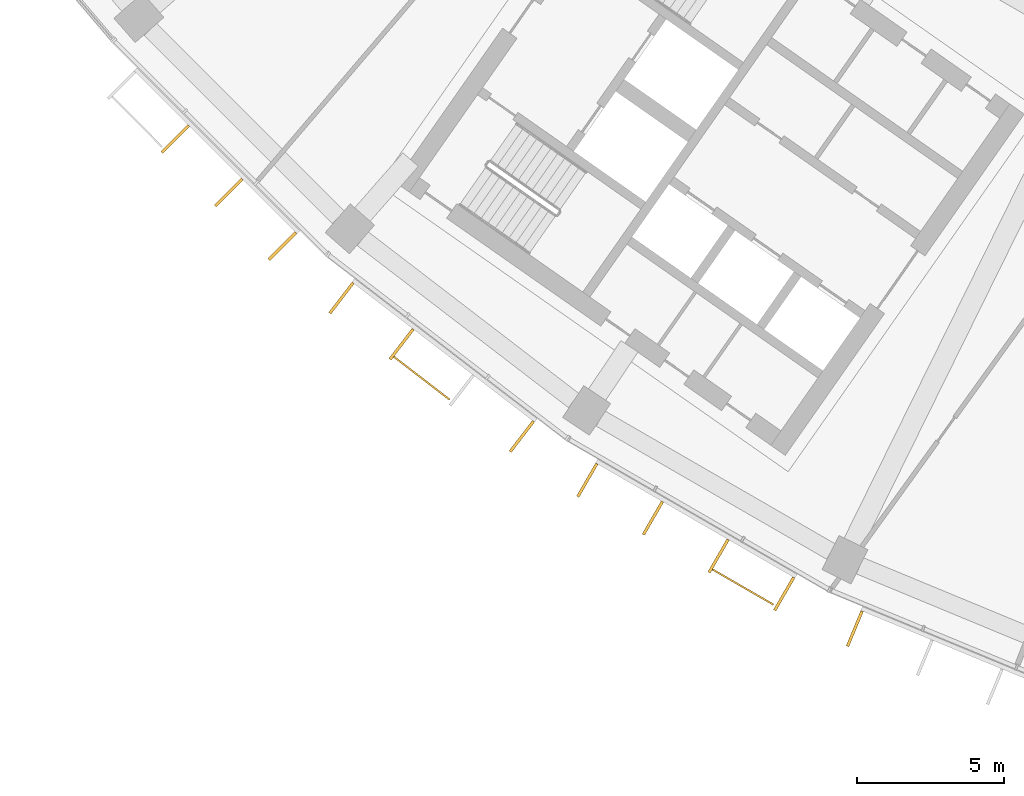
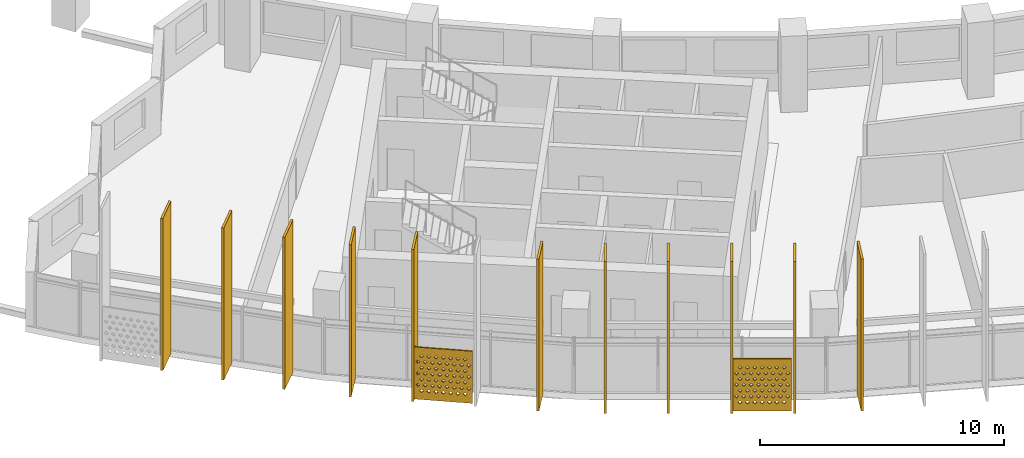
# One storey, part 21 of 27: 13 shading devices.
"""IFC4 building model written with IfcOpenShell, lengths in metres."""

from ifc_helpers import new_model, si_unit, direction, frame, origin, origin_2d, place, context, subcontext, project, spatial, polyline, rectangle, outline, extrude, material, material_profile, profile_set, type_object, element, save


model = new_model("IFC4")

# Units and contexts
model_context = context("Model", 3, precision=1e-05, world=origin(), true_north=direction((0.0, 1.0)))
body_context = subcontext(model_context, "Body", "Model", "MODEL_VIEW")
ifc_project = project(units=[si_unit("LENGTHUNIT", "METRE"), si_unit("AREAUNIT", "SQUARE_METRE"), si_unit("VOLUMEUNIT", "CUBIC_METRE"), si_unit("PLANEANGLEUNIT", "RADIAN"), si_unit("MASSUNIT", "GRAM", prefix="KILO")], contexts=[model_context])

# Site, building, storey
site_placement = place(None, origin())
site = spatial("IfcSite", under=ifc_project, at=site_placement, CompositionType="ELEMENT")
building_placement = place(site_placement, origin())
building = spatial("IfcBuilding", under=site, at=building_placement, Name="Qamariyya Broadcast Tower", CompositionType="ELEMENT")
storey_placement = place(building_placement, frame((0.0, 0.0, 164.5)))
storey = spatial("IfcBuildingStorey", under=building, at=storey_placement, Name="L38", CompositionType="ELEMENT", Elevation=164.5)

# Shading devices
ifc_material_1 = material(Name="Perforated glazed terracotta", Category="masonry")
ifc_material_profile_1 = material_profile(ifc_material_1, outline(polyline([(-1.199951171875, -1.300048828125), (1.199951171875, -1.300048828125), (1.199951171875, 1.300048828125), (-1.199951171875, 1.300048828125), (-1.199951171875, -1.300048828125)]), holes=[polyline([(-0.81494140625, -0.86669921875), (-0.89990234375, -0.78173828125), (-0.985107421875, -0.86669921875), (-0.89990234375, -0.95166015625), (-0.81494140625, -0.86669921875)]), polyline([(-0.514892578125, -0.86669921875), (-0.60009765625, -0.78173828125), (-0.68505859375, -0.86669921875), (-0.60009765625, -0.95166015625), (-0.514892578125, -0.86669921875)]), polyline([(-0.215087890625, -0.86669921875), (-0.300048828125, -0.78173828125), (-0.385009765625, -0.86669921875), (-0.300048828125, -0.95166015625), (-0.215087890625, -0.86669921875)]), polyline([(0.0849609375, -0.86669921875), (0.0, -0.78173828125), (-0.0849609375, -0.86669921875), (0.0, -0.95166015625), (0.0849609375, -0.86669921875)]), polyline([(0.385009765625, -0.86669921875), (0.300048828125, -0.78173828125), (0.215087890625, -0.86669921875), (0.300048828125, -0.95166015625), (0.385009765625, -0.86669921875)]), polyline([(0.68505859375, -0.86669921875), (0.60009765625, -0.78173828125), (0.514892578125, -0.86669921875), (0.60009765625, -0.95166015625), (0.68505859375, -0.86669921875)]), polyline([(0.985107421875, -0.86669921875), (0.89990234375, -0.78173828125), (0.81494140625, -0.86669921875), (0.89990234375, -0.95166015625), (0.985107421875, -0.86669921875)]), polyline([(-0.965087890625, -0.577880859375), (-1.050048828125, -0.49267578125), (-1.135009765625, -0.577880859375), (-1.050048828125, -0.662841796875), (-0.965087890625, -0.577880859375)]), polyline([(-0.6650390625, -0.577880859375), (-0.75, -0.49267578125), (-0.8349609375, -0.577880859375), (-0.75, -0.662841796875), (-0.6650390625, -0.577880859375)]), polyline([(-0.364990234375, -0.577880859375), (-0.449951171875, -0.49267578125), (-0.534912109375, -0.577880859375), (-0.449951171875, -0.662841796875), (-0.364990234375, -0.577880859375)]), polyline([(-0.06494140625, -0.577880859375), (-0.14990234375, -0.49267578125), (-0.235107421875, -0.577880859375), (-0.14990234375, -0.662841796875), (-0.06494140625, -0.577880859375)]), polyline([(0.235107421875, -0.577880859375), (0.14990234375, -0.49267578125), (0.06494140625, -0.577880859375), (0.14990234375, -0.662841796875), (0.235107421875, -0.577880859375)]), polyline([(0.534912109375, -0.577880859375), (0.449951171875, -0.49267578125), (0.364990234375, -0.577880859375), (0.449951171875, -0.662841796875), (0.534912109375, -0.577880859375)]), polyline([(0.8349609375, -0.577880859375), (0.75, -0.49267578125), (0.6650390625, -0.577880859375), (0.75, -0.662841796875), (0.8349609375, -0.577880859375)]), polyline([(1.135009765625, -0.577880859375), (1.050048828125, -0.49267578125), (0.965087890625, -0.577880859375), (1.050048828125, -0.662841796875), (1.135009765625, -0.577880859375)]), polyline([(-0.81494140625, -0.288818359375), (-0.89990234375, -0.203857421875), (-0.985107421875, -0.288818359375), (-0.89990234375, -0.373779296875), (-0.81494140625, -0.288818359375)]), polyline([(-0.514892578125, -0.288818359375), (-0.60009765625, -0.203857421875), (-0.68505859375, -0.288818359375), (-0.60009765625, -0.373779296875), (-0.514892578125, -0.288818359375)]), polyline([(-0.215087890625, -0.288818359375), (-0.300048828125, -0.203857421875), (-0.385009765625, -0.288818359375), (-0.300048828125, -0.373779296875), (-0.215087890625, -0.288818359375)]), polyline([(0.0849609375, -0.288818359375), (0.0, -0.203857421875), (-0.0849609375, -0.288818359375), (0.0, -0.373779296875), (0.0849609375, -0.288818359375)]), polyline([(0.385009765625, -0.288818359375), (0.300048828125, -0.203857421875), (0.215087890625, -0.288818359375), (0.300048828125, -0.373779296875), (0.385009765625, -0.288818359375)]), polyline([(0.68505859375, -0.288818359375), (0.60009765625, -0.203857421875), (0.514892578125, -0.288818359375), (0.60009765625, -0.373779296875), (0.68505859375, -0.288818359375)]), polyline([(0.985107421875, -0.288818359375), (0.89990234375, -0.203857421875), (0.81494140625, -0.288818359375), (0.89990234375, -0.373779296875), (0.985107421875, -0.288818359375)]), polyline([(-0.965087890625, 0.0), (-1.050048828125, 0.0849609375), (-1.135009765625, 0.0), (-1.050048828125, -0.0849609375), (-0.965087890625, 0.0)]), polyline([(-0.6650390625, 0.0), (-0.75, 0.0849609375), (-0.8349609375, 0.0), (-0.75, -0.0849609375), (-0.6650390625, 0.0)]), polyline([(-0.364990234375, 0.0), (-0.449951171875, 0.0849609375), (-0.534912109375, 0.0), (-0.449951171875, -0.0849609375), (-0.364990234375, 0.0)]), polyline([(-0.06494140625, 0.0), (-0.14990234375, 0.0849609375), (-0.235107421875, 0.0), (-0.14990234375, -0.0849609375), (-0.06494140625, 0.0)]), polyline([(0.235107421875, 0.0), (0.14990234375, 0.0849609375), (0.06494140625, 0.0), (0.14990234375, -0.0849609375), (0.235107421875, 0.0)]), polyline([(0.534912109375, 0.0), (0.449951171875, 0.0849609375), (0.364990234375, 0.0), (0.449951171875, -0.0849609375), (0.534912109375, 0.0)]), polyline([(0.8349609375, 0.0), (0.75, 0.0849609375), (0.6650390625, 0.0), (0.75, -0.0849609375), (0.8349609375, 0.0)]), polyline([(1.135009765625, 0.0), (1.050048828125, 0.0849609375), (0.965087890625, 0.0), (1.050048828125, -0.0849609375), (1.135009765625, 0.0)]), polyline([(-0.81494140625, 0.288818359375), (-0.89990234375, 0.373779296875), (-0.985107421875, 0.288818359375), (-0.89990234375, 0.203857421875), (-0.81494140625, 0.288818359375)]), polyline([(-0.514892578125, 0.288818359375), (-0.60009765625, 0.373779296875), (-0.68505859375, 0.288818359375), (-0.60009765625, 0.203857421875), (-0.514892578125, 0.288818359375)]), polyline([(-0.215087890625, 0.288818359375), (-0.300048828125, 0.373779296875), (-0.385009765625, 0.288818359375), (-0.300048828125, 0.203857421875), (-0.215087890625, 0.288818359375)]), polyline([(0.0849609375, 0.288818359375), (0.0, 0.373779296875), (-0.0849609375, 0.288818359375), (0.0, 0.203857421875), (0.0849609375, 0.288818359375)]), polyline([(0.385009765625, 0.288818359375), (0.300048828125, 0.373779296875), (0.215087890625, 0.288818359375), (0.300048828125, 0.203857421875), (0.385009765625, 0.288818359375)]), polyline([(0.68505859375, 0.288818359375), (0.60009765625, 0.373779296875), (0.514892578125, 0.288818359375), (0.60009765625, 0.203857421875), (0.68505859375, 0.288818359375)]), polyline([(0.985107421875, 0.288818359375), (0.89990234375, 0.373779296875), (0.81494140625, 0.288818359375), (0.89990234375, 0.203857421875), (0.985107421875, 0.288818359375)]), polyline([(-0.965087890625, 0.577880859375), (-1.050048828125, 0.662841796875), (-1.135009765625, 0.577880859375), (-1.050048828125, 0.49267578125), (-0.965087890625, 0.577880859375)]), polyline([(-0.6650390625, 0.577880859375), (-0.75, 0.662841796875), (-0.8349609375, 0.577880859375), (-0.75, 0.49267578125), (-0.6650390625, 0.577880859375)]), polyline([(-0.364990234375, 0.577880859375), (-0.449951171875, 0.662841796875), (-0.534912109375, 0.577880859375), (-0.449951171875, 0.49267578125), (-0.364990234375, 0.577880859375)]), polyline([(-0.06494140625, 0.577880859375), (-0.14990234375, 0.662841796875), (-0.235107421875, 0.577880859375), (-0.14990234375, 0.49267578125), (-0.06494140625, 0.577880859375)]), polyline([(0.235107421875, 0.577880859375), (0.14990234375, 0.662841796875), (0.06494140625, 0.577880859375), (0.14990234375, 0.49267578125), (0.235107421875, 0.577880859375)]), polyline([(0.534912109375, 0.577880859375), (0.449951171875, 0.662841796875), (0.364990234375, 0.577880859375), (0.449951171875, 0.49267578125), (0.534912109375, 0.577880859375)]), polyline([(0.8349609375, 0.577880859375), (0.75, 0.662841796875), (0.6650390625, 0.577880859375), (0.75, 0.49267578125), (0.8349609375, 0.577880859375)]), polyline([(1.135009765625, 0.577880859375), (1.050048828125, 0.662841796875), (0.965087890625, 0.577880859375), (1.050048828125, 0.49267578125), (1.135009765625, 0.577880859375)]), polyline([(-0.81494140625, 0.86669921875), (-0.89990234375, 0.95166015625), (-0.985107421875, 0.86669921875), (-0.89990234375, 0.78173828125), (-0.81494140625, 0.86669921875)]), polyline([(-0.514892578125, 0.86669921875), (-0.60009765625, 0.95166015625), (-0.68505859375, 0.86669921875), (-0.60009765625, 0.78173828125), (-0.514892578125, 0.86669921875)]), polyline([(-0.215087890625, 0.86669921875), (-0.300048828125, 0.95166015625), (-0.385009765625, 0.86669921875), (-0.300048828125, 0.78173828125), (-0.215087890625, 0.86669921875)]), polyline([(0.0849609375, 0.86669921875), (0.0, 0.95166015625), (-0.0849609375, 0.86669921875), (0.0, 0.78173828125), (0.0849609375, 0.86669921875)]), polyline([(0.385009765625, 0.86669921875), (0.300048828125, 0.95166015625), (0.215087890625, 0.86669921875), (0.300048828125, 0.78173828125), (0.385009765625, 0.86669921875)]), polyline([(0.68505859375, 0.86669921875), (0.60009765625, 0.95166015625), (0.514892578125, 0.86669921875), (0.60009765625, 0.78173828125), (0.68505859375, 0.86669921875)]), polyline([(0.985107421875, 0.86669921875), (0.89990234375, 0.95166015625), (0.81494140625, 0.86669921875), (0.89990234375, 0.78173828125), (0.985107421875, 0.86669921875)])]))
ifc_profile_set_1 = profile_set([ifc_material_profile_1], Name="Perforated glazed terracotta")
shading_device_type_1 = type_object("IfcShadingDeviceType", Name="Perforated terracotta screen 2400 x 2600", PredefinedType="USERDEFINED", material=ifc_profile_set_1)
shading_device_1_placement = place(storey_placement, frame((-48.79541015625, -63.52294921875, 1.35009765625), z_axis=(-0.60971076085, -0.792623989105, 0.0), x_axis=(0.792623989105, -0.60971076085, 0.0)))
element("IfcShadingDevice", 1, at=shading_device_1_placement, inside=storey, type_object=shading_device_type_1, Name="e-scr-L38-02-1", ObjectType="SCREEN", PredefinedType="USERDEFINED", context=body_context, shape_type="SweptSolid", body=[
    extrude(outline(polyline([(-1.199951171875, -1.300048828125), (1.199951171875, -1.300048828125), (1.199951171875, 1.300048828125), (-1.199951171875, 1.300048828125), (-1.199951171875, -1.300048828125)]), holes=[polyline([(-0.81494140625, -0.86669921875), (-0.89990234375, -0.78173828125), (-0.985107421875, -0.86669921875), (-0.89990234375, -0.95166015625), (-0.81494140625, -0.86669921875)]), polyline([(-0.514892578125, -0.86669921875), (-0.60009765625, -0.78173828125), (-0.68505859375, -0.86669921875), (-0.60009765625, -0.95166015625), (-0.514892578125, -0.86669921875)]), polyline([(-0.215087890625, -0.86669921875), (-0.300048828125, -0.78173828125), (-0.385009765625, -0.86669921875), (-0.300048828125, -0.95166015625), (-0.215087890625, -0.86669921875)]), polyline([(0.0849609375, -0.86669921875), (0.0, -0.78173828125), (-0.0849609375, -0.86669921875), (0.0, -0.95166015625), (0.0849609375, -0.86669921875)]), polyline([(0.385009765625, -0.86669921875), (0.300048828125, -0.78173828125), (0.215087890625, -0.86669921875), (0.300048828125, -0.95166015625), (0.385009765625, -0.86669921875)]), polyline([(0.68505859375, -0.86669921875), (0.60009765625, -0.78173828125), (0.514892578125, -0.86669921875), (0.60009765625, -0.95166015625), (0.68505859375, -0.86669921875)]), polyline([(0.985107421875, -0.86669921875), (0.89990234375, -0.78173828125), (0.81494140625, -0.86669921875), (0.89990234375, -0.95166015625), (0.985107421875, -0.86669921875)]), polyline([(-0.965087890625, -0.577880859375), (-1.050048828125, -0.49267578125), (-1.135009765625, -0.577880859375), (-1.050048828125, -0.662841796875), (-0.965087890625, -0.577880859375)]), polyline([(-0.6650390625, -0.577880859375), (-0.75, -0.49267578125), (-0.8349609375, -0.577880859375), (-0.75, -0.662841796875), (-0.6650390625, -0.577880859375)]), polyline([(-0.364990234375, -0.577880859375), (-0.449951171875, -0.49267578125), (-0.534912109375, -0.577880859375), (-0.449951171875, -0.662841796875), (-0.364990234375, -0.577880859375)]), polyline([(-0.06494140625, -0.577880859375), (-0.14990234375, -0.49267578125), (-0.235107421875, -0.577880859375), (-0.14990234375, -0.662841796875), (-0.06494140625, -0.577880859375)]), polyline([(0.235107421875, -0.577880859375), (0.14990234375, -0.49267578125), (0.06494140625, -0.577880859375), (0.14990234375, -0.662841796875), (0.235107421875, -0.577880859375)]), polyline([(0.534912109375, -0.577880859375), (0.449951171875, -0.49267578125), (0.364990234375, -0.577880859375), (0.449951171875, -0.662841796875), (0.534912109375, -0.577880859375)]), polyline([(0.8349609375, -0.577880859375), (0.75, -0.49267578125), (0.6650390625, -0.577880859375), (0.75, -0.662841796875), (0.8349609375, -0.577880859375)]), polyline([(1.135009765625, -0.577880859375), (1.050048828125, -0.49267578125), (0.965087890625, -0.577880859375), (1.050048828125, -0.662841796875), (1.135009765625, -0.577880859375)]), polyline([(-0.81494140625, -0.288818359375), (-0.89990234375, -0.203857421875), (-0.985107421875, -0.288818359375), (-0.89990234375, -0.373779296875), (-0.81494140625, -0.288818359375)]), polyline([(-0.514892578125, -0.288818359375), (-0.60009765625, -0.203857421875), (-0.68505859375, -0.288818359375), (-0.60009765625, -0.373779296875), (-0.514892578125, -0.288818359375)]), polyline([(-0.215087890625, -0.288818359375), (-0.300048828125, -0.203857421875), (-0.385009765625, -0.288818359375), (-0.300048828125, -0.373779296875), (-0.215087890625, -0.288818359375)]), polyline([(0.0849609375, -0.288818359375), (0.0, -0.203857421875), (-0.0849609375, -0.288818359375), (0.0, -0.373779296875), (0.0849609375, -0.288818359375)]), polyline([(0.385009765625, -0.288818359375), (0.300048828125, -0.203857421875), (0.215087890625, -0.288818359375), (0.300048828125, -0.373779296875), (0.385009765625, -0.288818359375)]), polyline([(0.68505859375, -0.288818359375), (0.60009765625, -0.203857421875), (0.514892578125, -0.288818359375), (0.60009765625, -0.373779296875), (0.68505859375, -0.288818359375)]), polyline([(0.985107421875, -0.288818359375), (0.89990234375, -0.203857421875), (0.81494140625, -0.288818359375), (0.89990234375, -0.373779296875), (0.985107421875, -0.288818359375)]), polyline([(-0.965087890625, 0.0), (-1.050048828125, 0.0849609375), (-1.135009765625, 0.0), (-1.050048828125, -0.0849609375), (-0.965087890625, 0.0)]), polyline([(-0.6650390625, 0.0), (-0.75, 0.0849609375), (-0.8349609375, 0.0), (-0.75, -0.0849609375), (-0.6650390625, 0.0)]), polyline([(-0.364990234375, 0.0), (-0.449951171875, 0.0849609375), (-0.534912109375, 0.0), (-0.449951171875, -0.0849609375), (-0.364990234375, 0.0)]), polyline([(-0.06494140625, 0.0), (-0.14990234375, 0.0849609375), (-0.235107421875, 0.0), (-0.14990234375, -0.0849609375), (-0.06494140625, 0.0)]), polyline([(0.235107421875, 0.0), (0.14990234375, 0.0849609375), (0.06494140625, 0.0), (0.14990234375, -0.0849609375), (0.235107421875, 0.0)]), polyline([(0.534912109375, 0.0), (0.449951171875, 0.0849609375), (0.364990234375, 0.0), (0.449951171875, -0.0849609375), (0.534912109375, 0.0)]), polyline([(0.8349609375, 0.0), (0.75, 0.0849609375), (0.6650390625, 0.0), (0.75, -0.0849609375), (0.8349609375, 0.0)]), polyline([(1.135009765625, 0.0), (1.050048828125, 0.0849609375), (0.965087890625, 0.0), (1.050048828125, -0.0849609375), (1.135009765625, 0.0)]), polyline([(-0.81494140625, 0.288818359375), (-0.89990234375, 0.373779296875), (-0.985107421875, 0.288818359375), (-0.89990234375, 0.203857421875), (-0.81494140625, 0.288818359375)]), polyline([(-0.514892578125, 0.288818359375), (-0.60009765625, 0.373779296875), (-0.68505859375, 0.288818359375), (-0.60009765625, 0.203857421875), (-0.514892578125, 0.288818359375)]), polyline([(-0.215087890625, 0.288818359375), (-0.300048828125, 0.373779296875), (-0.385009765625, 0.288818359375), (-0.300048828125, 0.203857421875), (-0.215087890625, 0.288818359375)]), polyline([(0.0849609375, 0.288818359375), (0.0, 0.373779296875), (-0.0849609375, 0.288818359375), (0.0, 0.203857421875), (0.0849609375, 0.288818359375)]), polyline([(0.385009765625, 0.288818359375), (0.300048828125, 0.373779296875), (0.215087890625, 0.288818359375), (0.300048828125, 0.203857421875), (0.385009765625, 0.288818359375)]), polyline([(0.68505859375, 0.288818359375), (0.60009765625, 0.373779296875), (0.514892578125, 0.288818359375), (0.60009765625, 0.203857421875), (0.68505859375, 0.288818359375)]), polyline([(0.985107421875, 0.288818359375), (0.89990234375, 0.373779296875), (0.81494140625, 0.288818359375), (0.89990234375, 0.203857421875), (0.985107421875, 0.288818359375)]), polyline([(-0.965087890625, 0.577880859375), (-1.050048828125, 0.662841796875), (-1.135009765625, 0.577880859375), (-1.050048828125, 0.49267578125), (-0.965087890625, 0.577880859375)]), polyline([(-0.6650390625, 0.577880859375), (-0.75, 0.662841796875), (-0.8349609375, 0.577880859375), (-0.75, 0.49267578125), (-0.6650390625, 0.577880859375)]), polyline([(-0.364990234375, 0.577880859375), (-0.449951171875, 0.662841796875), (-0.534912109375, 0.577880859375), (-0.449951171875, 0.49267578125), (-0.364990234375, 0.577880859375)]), polyline([(-0.06494140625, 0.577880859375), (-0.14990234375, 0.662841796875), (-0.235107421875, 0.577880859375), (-0.14990234375, 0.49267578125), (-0.06494140625, 0.577880859375)]), polyline([(0.235107421875, 0.577880859375), (0.14990234375, 0.662841796875), (0.06494140625, 0.577880859375), (0.14990234375, 0.49267578125), (0.235107421875, 0.577880859375)]), polyline([(0.534912109375, 0.577880859375), (0.449951171875, 0.662841796875), (0.364990234375, 0.577880859375), (0.449951171875, 0.49267578125), (0.534912109375, 0.577880859375)]), polyline([(0.8349609375, 0.577880859375), (0.75, 0.662841796875), (0.6650390625, 0.577880859375), (0.75, 0.49267578125), (0.8349609375, 0.577880859375)]), polyline([(1.135009765625, 0.577880859375), (1.050048828125, 0.662841796875), (0.965087890625, 0.577880859375), (1.050048828125, 0.49267578125), (1.135009765625, 0.577880859375)]), polyline([(-0.81494140625, 0.86669921875), (-0.89990234375, 0.95166015625), (-0.985107421875, 0.86669921875), (-0.89990234375, 0.78173828125), (-0.81494140625, 0.86669921875)]), polyline([(-0.514892578125, 0.86669921875), (-0.60009765625, 0.95166015625), (-0.68505859375, 0.86669921875), (-0.60009765625, 0.78173828125), (-0.514892578125, 0.86669921875)]), polyline([(-0.215087890625, 0.86669921875), (-0.300048828125, 0.95166015625), (-0.385009765625, 0.86669921875), (-0.300048828125, 0.78173828125), (-0.215087890625, 0.86669921875)]), polyline([(0.0849609375, 0.86669921875), (0.0, 0.95166015625), (-0.0849609375, 0.86669921875), (0.0, 0.78173828125), (0.0849609375, 0.86669921875)]), polyline([(0.385009765625, 0.86669921875), (0.300048828125, 0.95166015625), (0.215087890625, 0.86669921875), (0.300048828125, 0.78173828125), (0.385009765625, 0.86669921875)]), polyline([(0.68505859375, 0.86669921875), (0.60009765625, 0.95166015625), (0.514892578125, 0.86669921875), (0.60009765625, 0.78173828125), (0.68505859375, 0.86669921875)]), polyline([(0.985107421875, 0.86669921875), (0.89990234375, 0.95166015625), (0.81494140625, 0.86669921875), (0.89990234375, 0.78173828125), (0.985107421875, 0.86669921875)])]), origin(), (0.0, 0.0, 1.0), 0.06005859375),
])
shading_device_2_placement = place(storey_placement, frame((-37.84912109375, -70.64013671875, 1.35009765625), z_axis=(-0.500074377092, -0.865982457891, 0.0), x_axis=(0.865982457891, -0.500074377092, 0.0)))
element("IfcShadingDevice", 2, at=shading_device_2_placement, inside=storey, type_object=shading_device_type_1, Name="e-scr-L38-03-2", ObjectType="SCREEN", PredefinedType="USERDEFINED", context=body_context, shape_type="SweptSolid", body=[
    extrude(outline(polyline([(-1.199951171875, -1.300048828125), (1.199951171875, -1.300048828125), (1.199951171875, 1.300048828125), (-1.199951171875, 1.300048828125), (-1.199951171875, -1.300048828125)]), holes=[polyline([(-0.81494140625, -0.86669921875), (-0.89990234375, -0.78173828125), (-0.985107421875, -0.86669921875), (-0.89990234375, -0.95166015625), (-0.81494140625, -0.86669921875)]), polyline([(-0.514892578125, -0.86669921875), (-0.60009765625, -0.78173828125), (-0.68505859375, -0.86669921875), (-0.60009765625, -0.95166015625), (-0.514892578125, -0.86669921875)]), polyline([(-0.215087890625, -0.86669921875), (-0.300048828125, -0.78173828125), (-0.385009765625, -0.86669921875), (-0.300048828125, -0.95166015625), (-0.215087890625, -0.86669921875)]), polyline([(0.0849609375, -0.86669921875), (0.0, -0.78173828125), (-0.0849609375, -0.86669921875), (0.0, -0.95166015625), (0.0849609375, -0.86669921875)]), polyline([(0.385009765625, -0.86669921875), (0.300048828125, -0.78173828125), (0.215087890625, -0.86669921875), (0.300048828125, -0.95166015625), (0.385009765625, -0.86669921875)]), polyline([(0.68505859375, -0.86669921875), (0.60009765625, -0.78173828125), (0.514892578125, -0.86669921875), (0.60009765625, -0.95166015625), (0.68505859375, -0.86669921875)]), polyline([(0.985107421875, -0.86669921875), (0.89990234375, -0.78173828125), (0.81494140625, -0.86669921875), (0.89990234375, -0.95166015625), (0.985107421875, -0.86669921875)]), polyline([(-0.965087890625, -0.577880859375), (-1.050048828125, -0.49267578125), (-1.135009765625, -0.577880859375), (-1.050048828125, -0.662841796875), (-0.965087890625, -0.577880859375)]), polyline([(-0.6650390625, -0.577880859375), (-0.75, -0.49267578125), (-0.8349609375, -0.577880859375), (-0.75, -0.662841796875), (-0.6650390625, -0.577880859375)]), polyline([(-0.364990234375, -0.577880859375), (-0.449951171875, -0.49267578125), (-0.534912109375, -0.577880859375), (-0.449951171875, -0.662841796875), (-0.364990234375, -0.577880859375)]), polyline([(-0.06494140625, -0.577880859375), (-0.14990234375, -0.49267578125), (-0.235107421875, -0.577880859375), (-0.14990234375, -0.662841796875), (-0.06494140625, -0.577880859375)]), polyline([(0.235107421875, -0.577880859375), (0.14990234375, -0.49267578125), (0.06494140625, -0.577880859375), (0.14990234375, -0.662841796875), (0.235107421875, -0.577880859375)]), polyline([(0.534912109375, -0.577880859375), (0.449951171875, -0.49267578125), (0.364990234375, -0.577880859375), (0.449951171875, -0.662841796875), (0.534912109375, -0.577880859375)]), polyline([(0.8349609375, -0.577880859375), (0.75, -0.49267578125), (0.6650390625, -0.577880859375), (0.75, -0.662841796875), (0.8349609375, -0.577880859375)]), polyline([(1.135009765625, -0.577880859375), (1.050048828125, -0.49267578125), (0.965087890625, -0.577880859375), (1.050048828125, -0.662841796875), (1.135009765625, -0.577880859375)]), polyline([(-0.81494140625, -0.288818359375), (-0.89990234375, -0.203857421875), (-0.985107421875, -0.288818359375), (-0.89990234375, -0.373779296875), (-0.81494140625, -0.288818359375)]), polyline([(-0.514892578125, -0.288818359375), (-0.60009765625, -0.203857421875), (-0.68505859375, -0.288818359375), (-0.60009765625, -0.373779296875), (-0.514892578125, -0.288818359375)]), polyline([(-0.215087890625, -0.288818359375), (-0.300048828125, -0.203857421875), (-0.385009765625, -0.288818359375), (-0.300048828125, -0.373779296875), (-0.215087890625, -0.288818359375)]), polyline([(0.0849609375, -0.288818359375), (0.0, -0.203857421875), (-0.0849609375, -0.288818359375), (0.0, -0.373779296875), (0.0849609375, -0.288818359375)]), polyline([(0.385009765625, -0.288818359375), (0.300048828125, -0.203857421875), (0.215087890625, -0.288818359375), (0.300048828125, -0.373779296875), (0.385009765625, -0.288818359375)]), polyline([(0.68505859375, -0.288818359375), (0.60009765625, -0.203857421875), (0.514892578125, -0.288818359375), (0.60009765625, -0.373779296875), (0.68505859375, -0.288818359375)]), polyline([(0.985107421875, -0.288818359375), (0.89990234375, -0.203857421875), (0.81494140625, -0.288818359375), (0.89990234375, -0.373779296875), (0.985107421875, -0.288818359375)]), polyline([(-0.965087890625, 0.0), (-1.050048828125, 0.0849609375), (-1.135009765625, 0.0), (-1.050048828125, -0.0849609375), (-0.965087890625, 0.0)]), polyline([(-0.6650390625, 0.0), (-0.75, 0.0849609375), (-0.8349609375, 0.0), (-0.75, -0.0849609375), (-0.6650390625, 0.0)]), polyline([(-0.364990234375, 0.0), (-0.449951171875, 0.0849609375), (-0.534912109375, 0.0), (-0.449951171875, -0.0849609375), (-0.364990234375, 0.0)]), polyline([(-0.06494140625, 0.0), (-0.14990234375, 0.0849609375), (-0.235107421875, 0.0), (-0.14990234375, -0.0849609375), (-0.06494140625, 0.0)]), polyline([(0.235107421875, 0.0), (0.14990234375, 0.0849609375), (0.06494140625, 0.0), (0.14990234375, -0.0849609375), (0.235107421875, 0.0)]), polyline([(0.534912109375, 0.0), (0.449951171875, 0.0849609375), (0.364990234375, 0.0), (0.449951171875, -0.0849609375), (0.534912109375, 0.0)]), polyline([(0.8349609375, 0.0), (0.75, 0.0849609375), (0.6650390625, 0.0), (0.75, -0.0849609375), (0.8349609375, 0.0)]), polyline([(1.135009765625, 0.0), (1.050048828125, 0.0849609375), (0.965087890625, 0.0), (1.050048828125, -0.0849609375), (1.135009765625, 0.0)]), polyline([(-0.81494140625, 0.288818359375), (-0.89990234375, 0.373779296875), (-0.985107421875, 0.288818359375), (-0.89990234375, 0.203857421875), (-0.81494140625, 0.288818359375)]), polyline([(-0.514892578125, 0.288818359375), (-0.60009765625, 0.373779296875), (-0.68505859375, 0.288818359375), (-0.60009765625, 0.203857421875), (-0.514892578125, 0.288818359375)]), polyline([(-0.215087890625, 0.288818359375), (-0.300048828125, 0.373779296875), (-0.385009765625, 0.288818359375), (-0.300048828125, 0.203857421875), (-0.215087890625, 0.288818359375)]), polyline([(0.0849609375, 0.288818359375), (0.0, 0.373779296875), (-0.0849609375, 0.288818359375), (0.0, 0.203857421875), (0.0849609375, 0.288818359375)]), polyline([(0.385009765625, 0.288818359375), (0.300048828125, 0.373779296875), (0.215087890625, 0.288818359375), (0.300048828125, 0.203857421875), (0.385009765625, 0.288818359375)]), polyline([(0.68505859375, 0.288818359375), (0.60009765625, 0.373779296875), (0.514892578125, 0.288818359375), (0.60009765625, 0.203857421875), (0.68505859375, 0.288818359375)]), polyline([(0.985107421875, 0.288818359375), (0.89990234375, 0.373779296875), (0.81494140625, 0.288818359375), (0.89990234375, 0.203857421875), (0.985107421875, 0.288818359375)]), polyline([(-0.965087890625, 0.577880859375), (-1.050048828125, 0.662841796875), (-1.135009765625, 0.577880859375), (-1.050048828125, 0.49267578125), (-0.965087890625, 0.577880859375)]), polyline([(-0.6650390625, 0.577880859375), (-0.75, 0.662841796875), (-0.8349609375, 0.577880859375), (-0.75, 0.49267578125), (-0.6650390625, 0.577880859375)]), polyline([(-0.364990234375, 0.577880859375), (-0.449951171875, 0.662841796875), (-0.534912109375, 0.577880859375), (-0.449951171875, 0.49267578125), (-0.364990234375, 0.577880859375)]), polyline([(-0.06494140625, 0.577880859375), (-0.14990234375, 0.662841796875), (-0.235107421875, 0.577880859375), (-0.14990234375, 0.49267578125), (-0.06494140625, 0.577880859375)]), polyline([(0.235107421875, 0.577880859375), (0.14990234375, 0.662841796875), (0.06494140625, 0.577880859375), (0.14990234375, 0.49267578125), (0.235107421875, 0.577880859375)]), polyline([(0.534912109375, 0.577880859375), (0.449951171875, 0.662841796875), (0.364990234375, 0.577880859375), (0.449951171875, 0.49267578125), (0.534912109375, 0.577880859375)]), polyline([(0.8349609375, 0.577880859375), (0.75, 0.662841796875), (0.6650390625, 0.577880859375), (0.75, 0.49267578125), (0.8349609375, 0.577880859375)]), polyline([(1.135009765625, 0.577880859375), (1.050048828125, 0.662841796875), (0.965087890625, 0.577880859375), (1.050048828125, 0.49267578125), (1.135009765625, 0.577880859375)]), polyline([(-0.81494140625, 0.86669921875), (-0.89990234375, 0.95166015625), (-0.985107421875, 0.86669921875), (-0.89990234375, 0.78173828125), (-0.81494140625, 0.86669921875)]), polyline([(-0.514892578125, 0.86669921875), (-0.60009765625, 0.95166015625), (-0.68505859375, 0.86669921875), (-0.60009765625, 0.78173828125), (-0.514892578125, 0.86669921875)]), polyline([(-0.215087890625, 0.86669921875), (-0.300048828125, 0.95166015625), (-0.385009765625, 0.86669921875), (-0.300048828125, 0.78173828125), (-0.215087890625, 0.86669921875)]), polyline([(0.0849609375, 0.86669921875), (0.0, 0.95166015625), (-0.0849609375, 0.86669921875), (0.0, 0.78173828125), (0.0849609375, 0.86669921875)]), polyline([(0.385009765625, 0.86669921875), (0.300048828125, 0.95166015625), (0.215087890625, 0.86669921875), (0.300048828125, 0.78173828125), (0.385009765625, 0.86669921875)]), polyline([(0.68505859375, 0.86669921875), (0.60009765625, 0.95166015625), (0.514892578125, 0.86669921875), (0.60009765625, 0.78173828125), (0.68505859375, 0.86669921875)]), polyline([(0.985107421875, 0.86669921875), (0.89990234375, 0.95166015625), (0.81494140625, 0.86669921875), (0.89990234375, 0.78173828125), (0.985107421875, 0.86669921875)])]), origin(), (0.0, 0.0, 1.0), 0.06005859375),
])
ifc_material_2 = material(Name="Glazed terracotta", Category="masonry")
ifc_material_profile_2 = material_profile(ifc_material_2, rectangle(XDim=1.300048828125, YDim=0.10009765625, at=origin_2d()))
ifc_profile_set_2 = profile_set([ifc_material_profile_2], Name="Glazed terracotta")
shading_device_type_2 = type_object("IfcShadingDeviceType", Name="Terracotta fin 100 x 1300", PredefinedType="USERDEFINED", material=ifc_profile_set_2)
for number, where, z_axis, x_axis, name in (
    (3, (-57.220947265625, -55.39404296875, 0.0), (0.0, 0.0, 1.0), (-0.707106781187, -0.707106781187, 0.0), "e-fin-L38-01-1"),
    (4, (-55.39404296875, -57.220947265625, 0.0), (0.0, 0.0, 1.0), (-0.707106781187, -0.707106781187, 0.0), "e-fin-L38-01-2"),
    (5, (-53.5673828125, -59.047607421875, 0.0), (0.0, 0.0, 1.0), (-0.707106781187, -0.707106781187, 0.0), "e-fin-L38-01-3"),
    (6, (-51.550537109375, -60.81640625, 0.0), (0.0, 0.0, 1.0), (-0.608761429009, -0.793353340291, 0.0), "e-fin-L38-02-0"),
    (7, (-49.5009765625, -62.38916015625, 0.0), (0.0, 0.0, 1.0), (-0.608761429009, -0.793353340291, 0.0), "e-fin-L38-02-1"),
    (8, (-45.40185546875, -65.534423828125, 0.0), (0.0, 0.0, 1.0), (-0.608761429009, -0.793353340291, 0.0), "e-fin-L38-02-3"),
    (9, (-43.17138671875, -67.024658203125, 0.0), (0.0, 0.0, 1.0), (-0.5, -0.866025403784, 0.0), "e-fin-L38-03-0"),
    (10, (-40.93408203125, -68.31640625, 0.0), (0.0, 0.0, 1.0), (-0.5, -0.866025403784, 0.0), "e-fin-L38-03-1"),
    (11, (-38.69677734375, -69.608154296875, 0.0), (0.0, 0.0, 1.0), (-0.5, -0.866025403784, 0.0), "e-fin-L38-03-2"),
    (12, (-36.45947265625, -70.89990234375, 0.0), (0.0, 0.0, 1.0), (-0.5, -0.866025403784, 0.0), "e-fin-L38-03-3"),
    (13, (-34.053466796875, -72.08642578125, 0.0), (0.0, 0.0, 1.0), (-0.382683432365, -0.923879532511, 0.0), "e-fin-L38-04-0"),
):
    element("IfcShadingDevice", number, at=place(storey_placement, frame(where, z_axis=z_axis, x_axis=x_axis)), inside=storey, type_object=shading_device_type_2, Name=name, ObjectType="FIN", PredefinedType="USERDEFINED", context=body_context, shape_type="SweptSolid", body=[
        extrude(rectangle(XDim=1.300048828125, YDim=0.10009765625, at=origin_2d()), origin(), (0.0, 0.0, 1.0), 7.60009765625),
    ])

save(model, "model.ifc")
